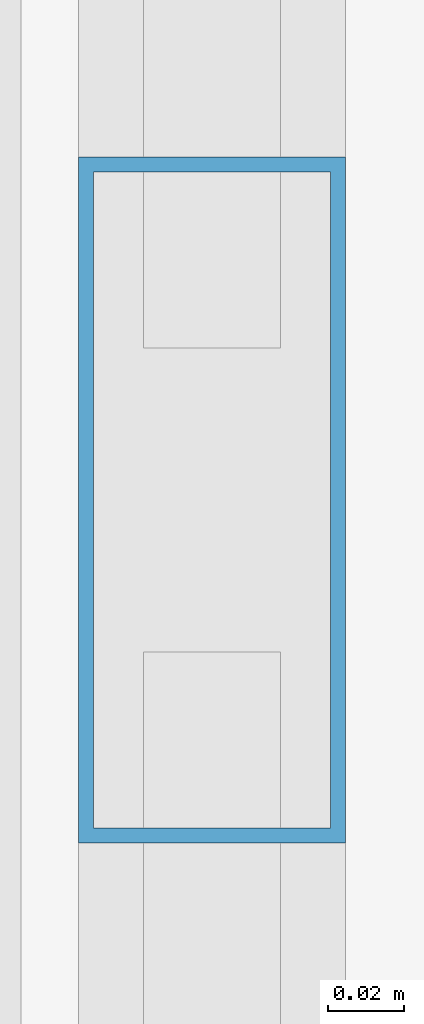
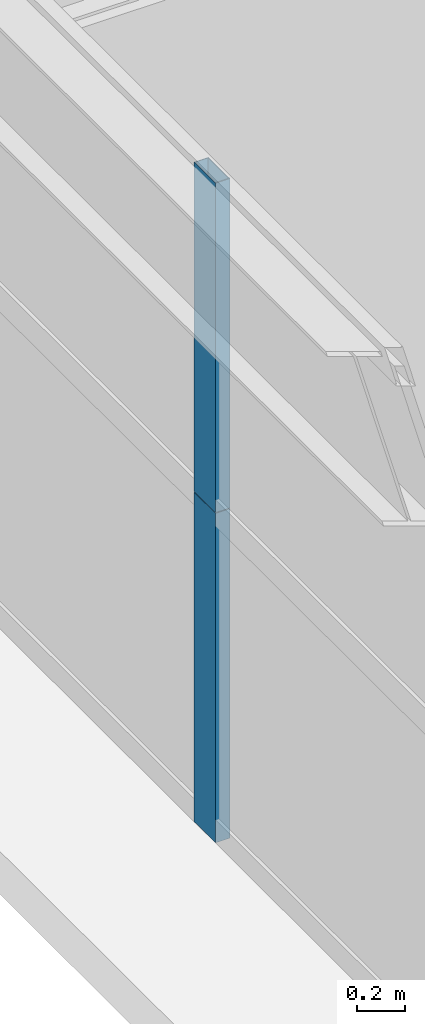
# One storey, part 10 of 43: 2 members, 1 element without a shape of its own.
"""IFC4 building model written with IfcOpenShell, lengths in metres."""

from ifc_helpers import new_model, si_unit, direction, frame, origin, origin_2d, place, context, subcontext, project, spatial, hollow_rectangle, extrude, source, transform, mapped, material, layer, layer_set, material_profile, profile_set, type_object, element, aggregate, save


model = new_model("IFC4")

# Units and contexts
model_context = context("Model", 3, precision=1e-05, world=origin(), true_north=direction((0.0, 1.0)))
body_context = subcontext(model_context, "Body", "Model", "MODEL_VIEW")
ifc_project = project(units=[si_unit("LENGTHUNIT", "METRE"), si_unit("AREAUNIT", "SQUARE_METRE"), si_unit("VOLUMEUNIT", "CUBIC_METRE"), si_unit("PLANEANGLEUNIT", "RADIAN"), si_unit("MASSUNIT", "GRAM", prefix="KILO"), si_unit("THERMODYNAMICTEMPERATUREUNIT", "KELVIN"), si_unit("POWERUNIT", "WATT")], contexts=[model_context])

# Site, building, storey
site_placement = place(None, origin())
site = spatial("IfcSite", under=ifc_project, at=site_placement, CompositionType="ELEMENT")
building_placement = place(site_placement, origin())
building = spatial("IfcBuilding", under=site, at=building_placement, Name="Yuzanri Waterfront Tower", CompositionType="ELEMENT")
storey_placement = place(building_placement, frame((0.0, 0.0, 93.800048828125)))
storey = spatial("IfcBuildingStorey", under=building, at=storey_placement, Name="L24", CompositionType="ELEMENT", Elevation=93.800048828125)

# Curtain wall, members
ifc_material_1 = material(Name="Anodized Architectural Bronze", Category="metal")
ifc_layer = layer(ifc_material_1, 0.159912109375)
ifc_layer_set = layer_set([ifc_layer], Name="Anodized Architectural Bronze")
curtain_wall_type = type_object("IfcCurtainWallType", Name="Anodized Bronze Hotel Upper-Tier Solar-Control Unitized Curtain Wall 7800", PredefinedType="NOTDEFINED", material=ifc_layer_set)
curtain_wall_placement = place(storey_placement, origin())
curtain_wall = element("IfcCurtainWall", 1, at=curtain_wall_placement, inside=storey, type_object=curtain_wall_type, Name="L24 Curtain Wall CW-L24-WL", PredefinedType="NOTDEFINED")
ifc_material_2 = material(Name="Anodized Architectural Bronze", Category="metal")
ifc_material_profile = material_profile(ifc_material_2, hollow_rectangle(XDim=0.070068359375, YDim=0.179931640625, WallThickness=0.00390625, at=origin_2d()), Name="CWM 70x180")
ifc_profile_set = profile_set([ifc_material_profile], Name="Anodized Architectural Bronze")
member_type = type_object("IfcMemberType", Name="Anodized Bronze Standard Curtain-Wall Mullion 70x180", PredefinedType="MULLION", material=ifc_profile_set)
shared_shape = source(origin(), body_context, "Body", "SweptSolid", [
    extrude(hollow_rectangle(XDim=0.070068359375, YDim=0.179931640625, WallThickness=0.00390625, at=origin_2d()), origin(), (0.0, 0.0, 1.0), 1.68798828125),
])
member_1_placement = place(storey_placement, frame((13.550048828125, 17.449951171875, 0.0), z_axis=(0.0, 0.0, 1.0), x_axis=(1.0, 0.0, 0.0)))
member_1 = element("IfcMember", 2, at=member_1_placement, type_object=member_type, Name="CW-L24-WL Lower Mullion 01", PredefinedType="MULLION", context=body_context, shape_type="MappedRepresentation", body=[
    mapped(shared_shape, transform((0.0, 0.0, 0.0), scale=1.0)),
])
member_2_placement = place(storey_placement, frame((13.550048828125, 17.449951171875, 1.69189453125), z_axis=(0.0, 0.0, 1.0), x_axis=(1.0, 0.0, 0.0)))
member_2 = element("IfcMember", 3, at=member_2_placement, type_object=member_type, Name="CW-L24-WL Upper Mullion 01", PredefinedType="MULLION", context=body_context, shape_type="MappedRepresentation", body=[
    mapped(shared_shape, transform((0.0, 0.0, 0.0), scale=1.0)),
])
aggregate(curtain_wall, [member_1, member_2])

save(model, "model.ifc")
